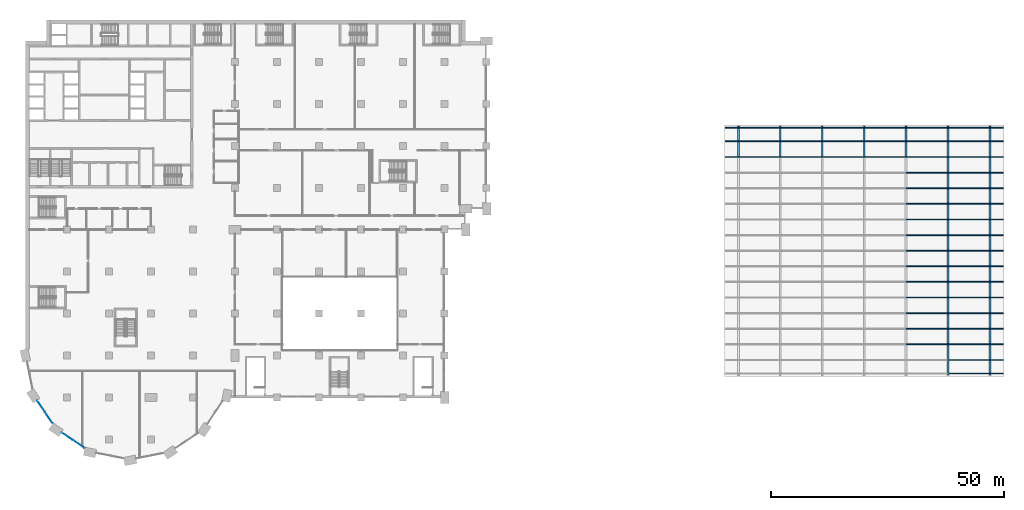
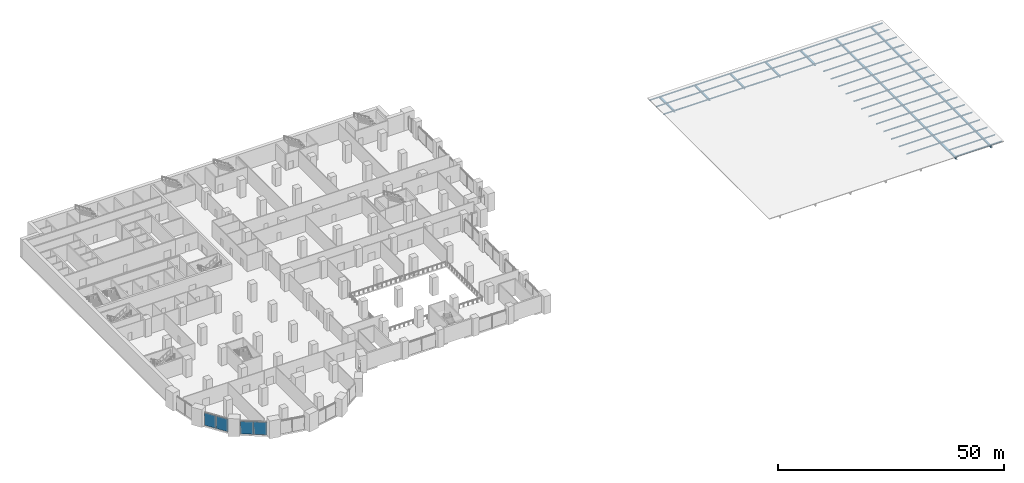
# One storey, part 8 of 32: 65 members, 4 plates, 2 elements without a shape of their own.
"""IFC4 building model written with IfcOpenShell, lengths in metres."""

from ifc_helpers import new_model, si_unit, direction, frame, origin, origin_2d, place, context, subcontext, project, spatial, rectangle, i_section, extrude, material, layer, layer_set, material_profile, profile_set, type_object, element, aggregate, save


model = new_model("IFC4")

# Units and contexts
model_context = context("Model", 3, precision=1e-05, world=origin(), true_north=direction((0.0, 1.0)))
body_context = subcontext(model_context, "Body", "Model", "MODEL_VIEW")
ifc_project = project(units=[si_unit("LENGTHUNIT", "METRE"), si_unit("AREAUNIT", "SQUARE_METRE"), si_unit("VOLUMEUNIT", "CUBIC_METRE"), si_unit("PLANEANGLEUNIT", "RADIAN"), si_unit("MASSUNIT", "GRAM", prefix="KILO")], contexts=[model_context])

# Site, building, storey
site_placement = place(None, origin())
site = spatial("IfcSite", under=ifc_project, at=site_placement, CompositionType="ELEMENT")
building_placement = place(site_placement, origin())
building = spatial("IfcBuilding", under=site, at=building_placement, Name="Hunhe Ridgeline Campus", CompositionType="ELEMENT")
storey_placement = place(building_placement, frame((0.0, 0.0, 26.39990234375)))
storey = spatial("IfcBuildingStorey", under=building, at=storey_placement, Name="L05", CompositionType="ELEMENT", Elevation=26.39990234375)

# Members
ifc_material_1 = material(Name="Steel Q355", Category="steel")
ifc_material_profile_1 = material_profile(ifc_material_1, i_section(OverallWidth=0.199951171875, OverallDepth=0.2939453125, WebThickness=0.008056640625, FlangeThickness=0.011962890625, FilletRadius=0.012939453125, at=origin_2d()))
ifc_profile_set_1 = profile_set([ifc_material_profile_1], Name="Steel Q355")
member_type_1 = type_object("IfcMemberType", Name="Roof purlin HM294x200x8x12 Q355", PredefinedType="PURLIN", material=ifc_profile_set_1)
for number, where, z_axis, x_axis, name in (
    (1, (198.0, 23.14990234375, 0.72705078125), (1.0, 0.0, 0.0), (0.0, 1.0, 0.0), "Roof purlin 6"),
    (2, (198.0, 26.050048828125, 0.72705078125), (1.0, 0.0, 0.0), (0.0, 1.0, 0.0), "Roof purlin 12"),
):
    element("IfcMember", number, at=place(storey_placement, frame(where, z_axis=z_axis, x_axis=x_axis)), inside=storey, type_object=member_type_1, Name=name, PredefinedType="PURLIN", context=body_context, shape_type="SweptSolid", body=[
        extrude(i_section(OverallWidth=0.199951171875, OverallDepth=0.2939453125, WebThickness=0.008056640625, FlangeThickness=0.011962890625, FilletRadius=0.012939453125, at=origin_2d()), origin(), (0.0, 0.0, 1.0), 11.800048828125),
    ])
member_1_placement = place(storey_placement, frame((189.0, 29.39990234375, 0.72705078125), z_axis=(1.0, 0.0, 0.0), x_axis=(0.0, 1.0, 0.0)))
element("IfcMember", 3, at=member_1_placement, inside=storey, type_object=member_type_1, Name="Roof purlin 17", PredefinedType="PURLIN", context=body_context, shape_type="SweptSolid", body=[
    extrude(i_section(OverallWidth=0.199951171875, OverallDepth=0.2939453125, WebThickness=0.008056640625, FlangeThickness=0.011962890625, FilletRadius=0.012939453125, at=origin_2d()), origin(), (0.0, 0.0, 1.0), 9.0),
])
member_2_placement = place(storey_placement, frame((198.0, 29.39990234375, 0.72705078125), z_axis=(1.0, 0.0, 0.0), x_axis=(0.0, 1.0, 0.0)))
element("IfcMember", 4, at=member_2_placement, inside=storey, type_object=member_type_1, Name="Roof purlin 18", PredefinedType="PURLIN", context=body_context, shape_type="SweptSolid", body=[
    extrude(i_section(OverallWidth=0.199951171875, OverallDepth=0.2939453125, WebThickness=0.008056640625, FlangeThickness=0.011962890625, FilletRadius=0.012939453125, at=origin_2d()), origin(), (0.0, 0.0, 1.0), 11.800048828125),
])
member_3_placement = place(storey_placement, frame((189.0, 32.75, 0.72705078125), z_axis=(1.0, 0.0, 0.0), x_axis=(0.0, 1.0, 0.0)))
element("IfcMember", 5, at=member_3_placement, inside=storey, type_object=member_type_1, Name="Roof purlin 23", PredefinedType="PURLIN", context=body_context, shape_type="SweptSolid", body=[
    extrude(i_section(OverallWidth=0.199951171875, OverallDepth=0.2939453125, WebThickness=0.008056640625, FlangeThickness=0.011962890625, FilletRadius=0.012939453125, at=origin_2d()), origin(), (0.0, 0.0, 1.0), 9.0),
])
member_4_placement = place(storey_placement, frame((198.0, 32.75, 0.72705078125), z_axis=(1.0, 0.0, 0.0), x_axis=(0.0, 1.0, 0.0)))
element("IfcMember", 6, at=member_4_placement, inside=storey, type_object=member_type_1, Name="Roof purlin 24", PredefinedType="PURLIN", context=body_context, shape_type="SweptSolid", body=[
    extrude(i_section(OverallWidth=0.199951171875, OverallDepth=0.2939453125, WebThickness=0.008056640625, FlangeThickness=0.011962890625, FilletRadius=0.012939453125, at=origin_2d()), origin(), (0.0, 0.0, 1.0), 11.800048828125),
])
member_5_placement = place(storey_placement, frame((189.0, 36.10009765625, 0.72705078125), z_axis=(1.0, 0.0, 0.0), x_axis=(0.0, 1.0, 0.0)))
element("IfcMember", 7, at=member_5_placement, inside=storey, type_object=member_type_1, Name="Roof purlin 29", PredefinedType="PURLIN", context=body_context, shape_type="SweptSolid", body=[
    extrude(i_section(OverallWidth=0.199951171875, OverallDepth=0.2939453125, WebThickness=0.008056640625, FlangeThickness=0.011962890625, FilletRadius=0.012939453125, at=origin_2d()), origin(), (0.0, 0.0, 1.0), 9.0),
])
member_6_placement = place(storey_placement, frame((198.0, 36.10009765625, 0.72705078125), z_axis=(1.0, 0.0, 0.0), x_axis=(0.0, 1.0, 0.0)))
element("IfcMember", 8, at=member_6_placement, inside=storey, type_object=member_type_1, Name="Roof purlin 30", PredefinedType="PURLIN", context=body_context, shape_type="SweptSolid", body=[
    extrude(i_section(OverallWidth=0.199951171875, OverallDepth=0.2939453125, WebThickness=0.008056640625, FlangeThickness=0.011962890625, FilletRadius=0.012939453125, at=origin_2d()), origin(), (0.0, 0.0, 1.0), 11.800048828125),
])
member_7_placement = place(storey_placement, frame((189.0, 39.449951171875, 0.72705078125), z_axis=(1.0, 0.0, 0.0), x_axis=(0.0, 1.0, 0.0)))
element("IfcMember", 9, at=member_7_placement, inside=storey, type_object=member_type_1, Name="Roof purlin 35", PredefinedType="PURLIN", context=body_context, shape_type="SweptSolid", body=[
    extrude(i_section(OverallWidth=0.199951171875, OverallDepth=0.2939453125, WebThickness=0.008056640625, FlangeThickness=0.011962890625, FilletRadius=0.012939453125, at=origin_2d()), origin(), (0.0, 0.0, 1.0), 9.0),
])
member_8_placement = place(storey_placement, frame((198.0, 39.449951171875, 0.72705078125), z_axis=(1.0, 0.0, 0.0), x_axis=(0.0, 1.0, 0.0)))
element("IfcMember", 10, at=member_8_placement, inside=storey, type_object=member_type_1, Name="Roof purlin 36", PredefinedType="PURLIN", context=body_context, shape_type="SweptSolid", body=[
    extrude(i_section(OverallWidth=0.199951171875, OverallDepth=0.2939453125, WebThickness=0.008056640625, FlangeThickness=0.011962890625, FilletRadius=0.012939453125, at=origin_2d()), origin(), (0.0, 0.0, 1.0), 11.800048828125),
])
member_9_placement = place(storey_placement, frame((189.0, 42.800048828125, 0.72705078125), z_axis=(1.0, 0.0, 0.0), x_axis=(0.0, 1.0, 0.0)))
element("IfcMember", 11, at=member_9_placement, inside=storey, type_object=member_type_1, Name="Roof purlin 41", PredefinedType="PURLIN", context=body_context, shape_type="SweptSolid", body=[
    extrude(i_section(OverallWidth=0.199951171875, OverallDepth=0.2939453125, WebThickness=0.008056640625, FlangeThickness=0.011962890625, FilletRadius=0.012939453125, at=origin_2d()), origin(), (0.0, 0.0, 1.0), 9.0),
])
member_10_placement = place(storey_placement, frame((198.0, 42.800048828125, 0.72705078125), z_axis=(1.0, 0.0, 0.0), x_axis=(0.0, 1.0, 0.0)))
element("IfcMember", 12, at=member_10_placement, inside=storey, type_object=member_type_1, Name="Roof purlin 42", PredefinedType="PURLIN", context=body_context, shape_type="SweptSolid", body=[
    extrude(i_section(OverallWidth=0.199951171875, OverallDepth=0.2939453125, WebThickness=0.008056640625, FlangeThickness=0.011962890625, FilletRadius=0.012939453125, at=origin_2d()), origin(), (0.0, 0.0, 1.0), 11.800048828125),
])
member_11_placement = place(storey_placement, frame((189.0, 46.14990234375, 0.72705078125), z_axis=(1.0, 0.0, 0.0), x_axis=(0.0, 1.0, 0.0)))
element("IfcMember", 13, at=member_11_placement, inside=storey, type_object=member_type_1, Name="Roof purlin 47", PredefinedType="PURLIN", context=body_context, shape_type="SweptSolid", body=[
    extrude(i_section(OverallWidth=0.199951171875, OverallDepth=0.2939453125, WebThickness=0.008056640625, FlangeThickness=0.011962890625, FilletRadius=0.012939453125, at=origin_2d()), origin(), (0.0, 0.0, 1.0), 9.0),
])
member_12_placement = place(storey_placement, frame((198.0, 46.14990234375, 0.72705078125), z_axis=(1.0, 0.0, 0.0), x_axis=(0.0, 1.0, 0.0)))
element("IfcMember", 14, at=member_12_placement, inside=storey, type_object=member_type_1, Name="Roof purlin 48", PredefinedType="PURLIN", context=body_context, shape_type="SweptSolid", body=[
    extrude(i_section(OverallWidth=0.199951171875, OverallDepth=0.2939453125, WebThickness=0.008056640625, FlangeThickness=0.011962890625, FilletRadius=0.012939453125, at=origin_2d()), origin(), (0.0, 0.0, 1.0), 11.800048828125),
])
member_13_placement = place(storey_placement, frame((189.0, 49.5, 0.72705078125), z_axis=(1.0, 0.0, 0.0), x_axis=(0.0, 1.0, 0.0)))
element("IfcMember", 15, at=member_13_placement, inside=storey, type_object=member_type_1, Name="Roof purlin 53", PredefinedType="PURLIN", context=body_context, shape_type="SweptSolid", body=[
    extrude(i_section(OverallWidth=0.199951171875, OverallDepth=0.2939453125, WebThickness=0.008056640625, FlangeThickness=0.011962890625, FilletRadius=0.012939453125, at=origin_2d()), origin(), (0.0, 0.0, 1.0), 9.0),
])
member_14_placement = place(storey_placement, frame((198.0, 49.5, 0.72705078125), z_axis=(1.0, 0.0, 0.0), x_axis=(0.0, 1.0, 0.0)))
element("IfcMember", 16, at=member_14_placement, inside=storey, type_object=member_type_1, Name="Roof purlin 54", PredefinedType="PURLIN", context=body_context, shape_type="SweptSolid", body=[
    extrude(i_section(OverallWidth=0.199951171875, OverallDepth=0.2939453125, WebThickness=0.008056640625, FlangeThickness=0.011962890625, FilletRadius=0.012939453125, at=origin_2d()), origin(), (0.0, 0.0, 1.0), 11.800048828125),
])
member_15_placement = place(storey_placement, frame((189.0, 52.85009765625, 0.72705078125), z_axis=(1.0, 0.0, 0.0), x_axis=(0.0, 1.0, 0.0)))
element("IfcMember", 17, at=member_15_placement, inside=storey, type_object=member_type_1, Name="Roof purlin 59", PredefinedType="PURLIN", context=body_context, shape_type="SweptSolid", body=[
    extrude(i_section(OverallWidth=0.199951171875, OverallDepth=0.2939453125, WebThickness=0.008056640625, FlangeThickness=0.011962890625, FilletRadius=0.012939453125, at=origin_2d()), origin(), (0.0, 0.0, 1.0), 9.0),
])
member_16_placement = place(storey_placement, frame((198.0, 52.85009765625, 0.72705078125), z_axis=(1.0, 0.0, 0.0), x_axis=(0.0, 1.0, 0.0)))
element("IfcMember", 18, at=member_16_placement, inside=storey, type_object=member_type_1, Name="Roof purlin 60", PredefinedType="PURLIN", context=body_context, shape_type="SweptSolid", body=[
    extrude(i_section(OverallWidth=0.199951171875, OverallDepth=0.2939453125, WebThickness=0.008056640625, FlangeThickness=0.011962890625, FilletRadius=0.012939453125, at=origin_2d()), origin(), (0.0, 0.0, 1.0), 11.800048828125),
])
member_17_placement = place(storey_placement, frame((189.0, 56.199951171875, 0.72705078125), z_axis=(1.0, 0.0, 0.0), x_axis=(0.0, 1.0, 0.0)))
element("IfcMember", 19, at=member_17_placement, inside=storey, type_object=member_type_1, Name="Roof purlin 65", PredefinedType="PURLIN", context=body_context, shape_type="SweptSolid", body=[
    extrude(i_section(OverallWidth=0.199951171875, OverallDepth=0.2939453125, WebThickness=0.008056640625, FlangeThickness=0.011962890625, FilletRadius=0.012939453125, at=origin_2d()), origin(), (0.0, 0.0, 1.0), 9.0),
])
member_18_placement = place(storey_placement, frame((198.0, 56.199951171875, 0.72705078125), z_axis=(1.0, 0.0, 0.0), x_axis=(0.0, 1.0, 0.0)))
element("IfcMember", 20, at=member_18_placement, inside=storey, type_object=member_type_1, Name="Roof purlin 66", PredefinedType="PURLIN", context=body_context, shape_type="SweptSolid", body=[
    extrude(i_section(OverallWidth=0.199951171875, OverallDepth=0.2939453125, WebThickness=0.008056640625, FlangeThickness=0.011962890625, FilletRadius=0.012939453125, at=origin_2d()), origin(), (0.0, 0.0, 1.0), 11.800048828125),
])
member_19_placement = place(storey_placement, frame((189.0, 59.550048828125, 0.72705078125), z_axis=(1.0, 0.0, 0.0), x_axis=(0.0, 1.0, 0.0)))
element("IfcMember", 21, at=member_19_placement, inside=storey, type_object=member_type_1, Name="Roof purlin 71", PredefinedType="PURLIN", context=body_context, shape_type="SweptSolid", body=[
    extrude(i_section(OverallWidth=0.199951171875, OverallDepth=0.2939453125, WebThickness=0.008056640625, FlangeThickness=0.011962890625, FilletRadius=0.012939453125, at=origin_2d()), origin(), (0.0, 0.0, 1.0), 9.0),
])
member_20_placement = place(storey_placement, frame((198.0, 59.550048828125, 0.72705078125), z_axis=(1.0, 0.0, 0.0), x_axis=(0.0, 1.0, 0.0)))
element("IfcMember", 22, at=member_20_placement, inside=storey, type_object=member_type_1, Name="Roof purlin 72", PredefinedType="PURLIN", context=body_context, shape_type="SweptSolid", body=[
    extrude(i_section(OverallWidth=0.199951171875, OverallDepth=0.2939453125, WebThickness=0.008056640625, FlangeThickness=0.011962890625, FilletRadius=0.012939453125, at=origin_2d()), origin(), (0.0, 0.0, 1.0), 11.800048828125),
])
member_21_placement = place(storey_placement, frame((189.0, 62.89990234375, 0.72705078125), z_axis=(1.0, 0.0, 0.0), x_axis=(0.0, 1.0, 0.0)))
element("IfcMember", 23, at=member_21_placement, inside=storey, type_object=member_type_1, Name="Roof purlin 77", PredefinedType="PURLIN", context=body_context, shape_type="SweptSolid", body=[
    extrude(i_section(OverallWidth=0.199951171875, OverallDepth=0.2939453125, WebThickness=0.008056640625, FlangeThickness=0.011962890625, FilletRadius=0.012939453125, at=origin_2d()), origin(), (0.0, 0.0, 1.0), 9.0),
])
member_22_placement = place(storey_placement, frame((198.0, 62.89990234375, 0.72705078125), z_axis=(1.0, 0.0, 0.0), x_axis=(0.0, 1.0, 0.0)))
element("IfcMember", 24, at=member_22_placement, inside=storey, type_object=member_type_1, Name="Roof purlin 78", PredefinedType="PURLIN", context=body_context, shape_type="SweptSolid", body=[
    extrude(i_section(OverallWidth=0.199951171875, OverallDepth=0.2939453125, WebThickness=0.008056640625, FlangeThickness=0.011962890625, FilletRadius=0.012939453125, at=origin_2d()), origin(), (0.0, 0.0, 1.0), 11.800048828125),
])
member_23_placement = place(storey_placement, frame((189.0, 66.25, 0.72705078125), z_axis=(1.0, 0.0, 0.0), x_axis=(0.0, 1.0, 0.0)))
element("IfcMember", 25, at=member_23_placement, inside=storey, type_object=member_type_1, Name="Roof purlin 83", PredefinedType="PURLIN", context=body_context, shape_type="SweptSolid", body=[
    extrude(i_section(OverallWidth=0.199951171875, OverallDepth=0.2939453125, WebThickness=0.008056640625, FlangeThickness=0.011962890625, FilletRadius=0.012939453125, at=origin_2d()), origin(), (0.0, 0.0, 1.0), 9.0),
])
for number, where, z_axis, x_axis, name in (
    (26, (198.0, 66.25, 0.72705078125), (1.0, 0.0, 0.0), (0.0, 1.0, 0.0), "Roof purlin 84"),
    (27, (150.199951171875, 69.60009765625, 0.72705078125), (1.0, 0.0, 0.0), (0.0, 1.0, 0.0), "Roof purlin 85"),
):
    element("IfcMember", number, at=place(storey_placement, frame(where, z_axis=z_axis, x_axis=x_axis)), inside=storey, type_object=member_type_1, Name=name, PredefinedType="PURLIN", context=body_context, shape_type="SweptSolid", body=[
        extrude(i_section(OverallWidth=0.199951171875, OverallDepth=0.2939453125, WebThickness=0.008056640625, FlangeThickness=0.011962890625, FilletRadius=0.012939453125, at=origin_2d()), origin(), (0.0, 0.0, 1.0), 11.800048828125),
    ])
for number, where, z_axis, x_axis, name in (
    (28, (162.0, 69.60009765625, 0.72705078125), (1.0, 0.0, 0.0), (0.0, 1.0, 0.0), "Roof purlin 86"),
    (29, (171.0, 69.60009765625, 0.72705078125), (1.0, 0.0, 0.0), (0.0, 1.0, 0.0), "Roof purlin 87"),
    (30, (180.0, 69.60009765625, 0.72705078125), (1.0, 0.0, 0.0), (0.0, 1.0, 0.0), "Roof purlin 88"),
    (31, (189.0, 69.60009765625, 0.72705078125), (1.0, 0.0, 0.0), (0.0, 1.0, 0.0), "Roof purlin 89"),
):
    element("IfcMember", number, at=place(storey_placement, frame(where, z_axis=z_axis, x_axis=x_axis)), inside=storey, type_object=member_type_1, Name=name, PredefinedType="PURLIN", context=body_context, shape_type="SweptSolid", body=[
        extrude(i_section(OverallWidth=0.199951171875, OverallDepth=0.2939453125, WebThickness=0.008056640625, FlangeThickness=0.011962890625, FilletRadius=0.012939453125, at=origin_2d()), origin(), (0.0, 0.0, 1.0), 9.0),
    ])
for number, where, z_axis, x_axis, name in (
    (32, (198.0, 69.60009765625, 0.72705078125), (1.0, 0.0, 0.0), (0.0, 1.0, 0.0), "Roof purlin 90"),
    (33, (150.199951171875, 72.949951171875, 0.72705078125), (1.0, 0.0, 0.0), (0.0, 1.0, 0.0), "Roof purlin 91"),
):
    element("IfcMember", number, at=place(storey_placement, frame(where, z_axis=z_axis, x_axis=x_axis)), inside=storey, type_object=member_type_1, Name=name, PredefinedType="PURLIN", context=body_context, shape_type="SweptSolid", body=[
        extrude(i_section(OverallWidth=0.199951171875, OverallDepth=0.2939453125, WebThickness=0.008056640625, FlangeThickness=0.011962890625, FilletRadius=0.012939453125, at=origin_2d()), origin(), (0.0, 0.0, 1.0), 11.800048828125),
    ])
for number, where, z_axis, x_axis, name in (
    (34, (162.0, 72.949951171875, 0.72705078125), (1.0, 0.0, 0.0), (0.0, 1.0, 0.0), "Roof purlin 92"),
    (35, (171.0, 72.949951171875, 0.72705078125), (1.0, 0.0, 0.0), (0.0, 1.0, 0.0), "Roof purlin 93"),
    (36, (180.0, 72.949951171875, 0.72705078125), (1.0, 0.0, 0.0), (0.0, 1.0, 0.0), "Roof purlin 94"),
    (37, (189.0, 72.949951171875, 0.72705078125), (1.0, 0.0, 0.0), (0.0, 1.0, 0.0), "Roof purlin 95"),
):
    element("IfcMember", number, at=place(storey_placement, frame(where, z_axis=z_axis, x_axis=x_axis)), inside=storey, type_object=member_type_1, Name=name, PredefinedType="PURLIN", context=body_context, shape_type="SweptSolid", body=[
        extrude(i_section(OverallWidth=0.199951171875, OverallDepth=0.2939453125, WebThickness=0.008056640625, FlangeThickness=0.011962890625, FilletRadius=0.012939453125, at=origin_2d()), origin(), (0.0, 0.0, 1.0), 9.0),
    ])
for number, where, z_axis, x_axis, name in (
    (38, (198.0, 72.949951171875, 0.72705078125), (1.0, 0.0, 0.0), (0.0, 1.0, 0.0), "Roof purlin 96"),
    (39, (150.199951171875, 75.85009765625, 0.72705078125), (1.0, 0.0, 0.0), (0.0, 1.0, 0.0), "Roof purlin 97"),
):
    element("IfcMember", number, at=place(storey_placement, frame(where, z_axis=z_axis, x_axis=x_axis)), inside=storey, type_object=member_type_1, Name=name, PredefinedType="PURLIN", context=body_context, shape_type="SweptSolid", body=[
        extrude(i_section(OverallWidth=0.199951171875, OverallDepth=0.2939453125, WebThickness=0.008056640625, FlangeThickness=0.011962890625, FilletRadius=0.012939453125, at=origin_2d()), origin(), (0.0, 0.0, 1.0), 11.800048828125),
    ])
for number, where, z_axis, x_axis, name in (
    (40, (162.0, 75.85009765625, 0.72705078125), (1.0, 0.0, 0.0), (0.0, 1.0, 0.0), "Roof purlin 98"),
    (41, (171.0, 75.85009765625, 0.72705078125), (1.0, 0.0, 0.0), (0.0, 1.0, 0.0), "Roof purlin 99"),
    (42, (180.0, 75.85009765625, 0.72705078125), (1.0, 0.0, 0.0), (0.0, 1.0, 0.0), "Roof purlin 100"),
    (43, (189.0, 75.85009765625, 0.72705078125), (1.0, 0.0, 0.0), (0.0, 1.0, 0.0), "Roof purlin 101"),
):
    element("IfcMember", number, at=place(storey_placement, frame(where, z_axis=z_axis, x_axis=x_axis)), inside=storey, type_object=member_type_1, Name=name, PredefinedType="PURLIN", context=body_context, shape_type="SweptSolid", body=[
        extrude(i_section(OverallWidth=0.199951171875, OverallDepth=0.2939453125, WebThickness=0.008056640625, FlangeThickness=0.011962890625, FilletRadius=0.012939453125, at=origin_2d()), origin(), (0.0, 0.0, 1.0), 9.0),
    ])
member_24_placement = place(storey_placement, frame((198.0, 75.85009765625, 0.72705078125), z_axis=(1.0, 0.0, 0.0), x_axis=(0.0, 1.0, 0.0)))
element("IfcMember", 44, at=member_24_placement, inside=storey, type_object=member_type_1, Name="Roof purlin 102", PredefinedType="PURLIN", context=body_context, shape_type="SweptSolid", body=[
    extrude(i_section(OverallWidth=0.199951171875, OverallDepth=0.2939453125, WebThickness=0.008056640625, FlangeThickness=0.011962890625, FilletRadius=0.012939453125, at=origin_2d()), origin(), (0.0, 0.0, 1.0), 11.800048828125),
])
ifc_material_profile_2 = material_profile(ifc_material_1, i_section(OverallWidth=0.39990234375, OverallDepth=0.39990234375, WebThickness=0.012939453125, FlangeThickness=0.02099609375, FilletRadius=0.02197265625, at=origin_2d()))
ifc_profile_set_2 = profile_set([ifc_material_profile_2], Name="Steel Q355")
member_type_2 = type_object("IfcMemberType", Name="Roof truss chord HW400x400x13x21 Q355", PredefinedType="CHORD", material=ifc_profile_set_2)
for number, where, z_axis, x_axis, name in (
    (45, (153.0, 69.60009765625, 0.39013671875), (0.0, 1.0, 0.0), (-1.0, 0.0, 0.0), "Roof truss 1 top chord 8"),
    (46, (162.0, 69.60009765625, 0.39013671875), (0.0, 1.0, 0.0), (-1.0, 0.0, 0.0), "Roof truss 2 top chord 8"),
    (47, (171.0, 69.60009765625, 0.39013671875), (0.0, 1.0, 0.0), (-1.0, 0.0, 0.0), "Roof truss 3 top chord 8"),
    (48, (180.0, 69.60009765625, 0.39013671875), (0.0, 1.0, 0.0), (-1.0, 0.0, 0.0), "Roof truss 4 top chord 8"),
    (49, (189.0, 69.60009765625, 0.39013671875), (0.0, 1.0, 0.0), (-1.0, 0.0, 0.0), "Roof truss 5 top chord 8"),
    (50, (198.0, 22.699951171875, 0.39013671875), (0.0, 1.0, 0.0), (-1.0, 0.0, 0.0), "Roof truss 6 top chord 1"),
):
    element("IfcMember", number, at=place(storey_placement, frame(where, z_axis=z_axis, x_axis=x_axis)), inside=storey, type_object=member_type_2, Name=name, PredefinedType="CHORD", context=body_context, shape_type="SweptSolid", body=[
        extrude(i_section(OverallWidth=0.39990234375, OverallDepth=0.39990234375, WebThickness=0.012939453125, FlangeThickness=0.02099609375, FilletRadius=0.02197265625, at=origin_2d()), origin(), (0.0, 0.0, 1.0), 6.699951171875),
    ])
member_25_placement = place(storey_placement, frame((198.0, 29.39990234375, 0.39013671875), z_axis=(0.0, 1.0, 0.0), x_axis=(-1.0, 0.0, 0.0)))
element("IfcMember", 51, at=member_25_placement, inside=storey, type_object=member_type_2, Name="Roof truss 6 top chord 2", PredefinedType="CHORD", context=body_context, shape_type="SweptSolid", body=[
    extrude(i_section(OverallWidth=0.39990234375, OverallDepth=0.39990234375, WebThickness=0.012939453125, FlangeThickness=0.02099609375, FilletRadius=0.02197265625, at=origin_2d()), origin(), (0.0, 0.0, 1.0), 6.7001953125),
])
for number, where, z_axis, x_axis, name in (
    (52, (198.0, 36.10009765625, 0.39013671875), (0.0, 1.0, 0.0), (-1.0, 0.0, 0.0), "Roof truss 6 top chord 3"),
    (53, (198.0, 42.800048828125, 0.39013671875), (0.0, 1.0, 0.0), (-1.0, 0.0, 0.0), "Roof truss 6 top chord 4"),
    (54, (198.0, 49.5, 0.39013671875), (0.0, 1.0, 0.0), (-1.0, 0.0, 0.0), "Roof truss 6 top chord 5"),
    (55, (198.0, 56.199951171875, 0.39013671875), (0.0, 1.0, 0.0), (-1.0, 0.0, 0.0), "Roof truss 6 top chord 6"),
):
    element("IfcMember", number, at=place(storey_placement, frame(where, z_axis=z_axis, x_axis=x_axis)), inside=storey, type_object=member_type_2, Name=name, PredefinedType="CHORD", context=body_context, shape_type="SweptSolid", body=[
        extrude(i_section(OverallWidth=0.39990234375, OverallDepth=0.39990234375, WebThickness=0.012939453125, FlangeThickness=0.02099609375, FilletRadius=0.02197265625, at=origin_2d()), origin(), (0.0, 0.0, 1.0), 6.699951171875),
    ])
member_26_placement = place(storey_placement, frame((198.0, 62.89990234375, 0.39013671875), z_axis=(0.0, 1.0, 0.0), x_axis=(-1.0, 0.0, 0.0)))
element("IfcMember", 56, at=member_26_placement, inside=storey, type_object=member_type_2, Name="Roof truss 6 top chord 7", PredefinedType="CHORD", context=body_context, shape_type="SweptSolid", body=[
    extrude(i_section(OverallWidth=0.39990234375, OverallDepth=0.39990234375, WebThickness=0.012939453125, FlangeThickness=0.02099609375, FilletRadius=0.02197265625, at=origin_2d()), origin(), (0.0, 0.0, 1.0), 6.7001953125),
])
for number, where, z_axis, x_axis, name in (
    (57, (198.0, 69.60009765625, 0.39013671875), (0.0, 1.0, 0.0), (-1.0, 0.0, 0.0), "Roof truss 6 top chord 8"),
    (58, (207.0, 22.699951171875, 0.39013671875), (0.0, 1.0, 0.0), (-1.0, 0.0, 0.0), "Roof truss 7 top chord 1"),
):
    element("IfcMember", number, at=place(storey_placement, frame(where, z_axis=z_axis, x_axis=x_axis)), inside=storey, type_object=member_type_2, Name=name, PredefinedType="CHORD", context=body_context, shape_type="SweptSolid", body=[
        extrude(i_section(OverallWidth=0.39990234375, OverallDepth=0.39990234375, WebThickness=0.012939453125, FlangeThickness=0.02099609375, FilletRadius=0.02197265625, at=origin_2d()), origin(), (0.0, 0.0, 1.0), 6.699951171875),
    ])
member_27_placement = place(storey_placement, frame((207.0, 29.39990234375, 0.39013671875), z_axis=(0.0, 1.0, 0.0), x_axis=(-1.0, 0.0, 0.0)))
element("IfcMember", 59, at=member_27_placement, inside=storey, type_object=member_type_2, Name="Roof truss 7 top chord 2", PredefinedType="CHORD", context=body_context, shape_type="SweptSolid", body=[
    extrude(i_section(OverallWidth=0.39990234375, OverallDepth=0.39990234375, WebThickness=0.012939453125, FlangeThickness=0.02099609375, FilletRadius=0.02197265625, at=origin_2d()), origin(), (0.0, 0.0, 1.0), 6.7001953125),
])
for number, where, z_axis, x_axis, name in (
    (60, (207.0, 36.10009765625, 0.39013671875), (0.0, 1.0, 0.0), (-1.0, 0.0, 0.0), "Roof truss 7 top chord 3"),
    (61, (207.0, 42.800048828125, 0.39013671875), (0.0, 1.0, 0.0), (-1.0, 0.0, 0.0), "Roof truss 7 top chord 4"),
    (62, (207.0, 49.5, 0.39013671875), (0.0, 1.0, 0.0), (-1.0, 0.0, 0.0), "Roof truss 7 top chord 5"),
    (63, (207.0, 56.199951171875, 0.39013671875), (0.0, 1.0, 0.0), (-1.0, 0.0, 0.0), "Roof truss 7 top chord 6"),
):
    element("IfcMember", number, at=place(storey_placement, frame(where, z_axis=z_axis, x_axis=x_axis)), inside=storey, type_object=member_type_2, Name=name, PredefinedType="CHORD", context=body_context, shape_type="SweptSolid", body=[
        extrude(i_section(OverallWidth=0.39990234375, OverallDepth=0.39990234375, WebThickness=0.012939453125, FlangeThickness=0.02099609375, FilletRadius=0.02197265625, at=origin_2d()), origin(), (0.0, 0.0, 1.0), 6.699951171875),
    ])
member_28_placement = place(storey_placement, frame((207.0, 62.89990234375, 0.39013671875), z_axis=(0.0, 1.0, 0.0), x_axis=(-1.0, 0.0, 0.0)))
element("IfcMember", 64, at=member_28_placement, inside=storey, type_object=member_type_2, Name="Roof truss 7 top chord 7", PredefinedType="CHORD", context=body_context, shape_type="SweptSolid", body=[
    extrude(i_section(OverallWidth=0.39990234375, OverallDepth=0.39990234375, WebThickness=0.012939453125, FlangeThickness=0.02099609375, FilletRadius=0.02197265625, at=origin_2d()), origin(), (0.0, 0.0, 1.0), 6.7001953125),
])
member_29_placement = place(storey_placement, frame((207.0, 69.60009765625, 0.39013671875), z_axis=(0.0, 1.0, 0.0), x_axis=(-1.0, 0.0, 0.0)))
element("IfcMember", 65, at=member_29_placement, inside=storey, type_object=member_type_2, Name="Roof truss 7 top chord 8", PredefinedType="CHORD", context=body_context, shape_type="SweptSolid", body=[
    extrude(i_section(OverallWidth=0.39990234375, OverallDepth=0.39990234375, WebThickness=0.012939453125, FlangeThickness=0.02099609375, FilletRadius=0.02197265625, at=origin_2d()), origin(), (0.0, 0.0, 1.0), 6.699951171875),
])

# Curtain wall, plates
ifc_material_2 = material(Name="Aluminium and glass", Category="aluminium")
curtain_wall_type = type_object("IfcCurtainWallType", Name="Podium curtain wall CW-2", PredefinedType="NOTDEFINED", material=ifc_material_2)
curtain_wall_1_placement = place(storey_placement, origin())
curtain_wall_1 = element("IfcCurtainWall", 66, at=curtain_wall_1_placement, inside=storey, type_object=curtain_wall_type, Name="L05 podium curtain wall 10", PredefinedType="NOTDEFINED")
ifc_material_3 = material(Name="Clear glass", Category="glass")
ifc_layer = layer(ifc_material_3, 0.028076171875)
ifc_layer_set = layer_set([ifc_layer], Name="CW-2 clear glass panel 28")
plate_type = type_object("IfcPlateType", Name="CW-2 clear glass panel 28", PredefinedType="CURTAIN_PANEL", material=ifc_layer_set)
plate_1_placement = place(storey_placement, frame((3.40283203125, 16.13037109375, 0.06005859375), z_axis=(0.0, 0.0, 1.0), x_axis=(0.555579224709, -0.831463604177, 0.0)))
plate_1 = element("IfcPlate", 67, at=plate_1_placement, type_object=plate_type, Name="CW2 panel 1.1", PredefinedType="CURTAIN_PANEL", context=body_context, shape_type="SweptSolid", body=[
    extrude(rectangle(XDim=2.914794921875, YDim=0.028076171875, at=origin_2d()), origin(), (0.0, 0.0, 1.0), 3.429931640625),
])
plate_2_placement = place(storey_placement, frame((5.055419921875, 13.65673828125, 0.06005859375), z_axis=(0.0, 0.0, 1.0), x_axis=(0.555579224709, -0.831463604177, 0.0)))
plate_2 = element("IfcPlate", 68, at=plate_2_placement, type_object=plate_type, Name="CW2 panel 2.1", PredefinedType="CURTAIN_PANEL", context=body_context, shape_type="SweptSolid", body=[
    extrude(rectangle(XDim=2.914794921875, YDim=0.028076171875, at=origin_2d()), origin(), (0.0, 0.0, 1.0), 3.429931640625),
])
aggregate(curtain_wall_1, [plate_1, plate_2])

curtain_wall_2_placement = place(storey_placement, origin())
curtain_wall_2 = element("IfcCurtainWall", 69, at=curtain_wall_2_placement, inside=storey, type_object=curtain_wall_type, Name="L05 podium curtain wall 11", PredefinedType="NOTDEFINED")
plate_3_placement = place(storey_placement, frame((9.01611328125, 9.649658203125, 0.06005859375), z_axis=(0.0, 0.0, 1.0), x_axis=(0.831468740176, -0.555571538247, 0.0)))
plate_3 = element("IfcPlate", 70, at=plate_3_placement, type_object=plate_type, Name="CW2 panel 1.1", PredefinedType="CURTAIN_PANEL", context=body_context, shape_type="SweptSolid", body=[
    extrude(rectangle(XDim=2.9150390625, YDim=0.028076171875, at=origin_2d()), origin(), (0.0, 0.0, 1.0), 3.429931640625),
])
plate_4_placement = place(storey_placement, frame((11.489501953125, 7.996826171875, 0.06005859375), z_axis=(0.0, 0.0, 1.0), x_axis=(0.831468740176, -0.555571538247, 0.0)))
plate_4 = element("IfcPlate", 71, at=plate_4_placement, type_object=plate_type, Name="CW2 panel 2.1", PredefinedType="CURTAIN_PANEL", context=body_context, shape_type="SweptSolid", body=[
    extrude(rectangle(XDim=2.9150390625, YDim=0.028076171875, at=origin_2d()), origin(), (0.0, 0.0, 1.0), 3.429931640625),
])
aggregate(curtain_wall_2, [plate_3, plate_4])

save(model, "model.ifc")
